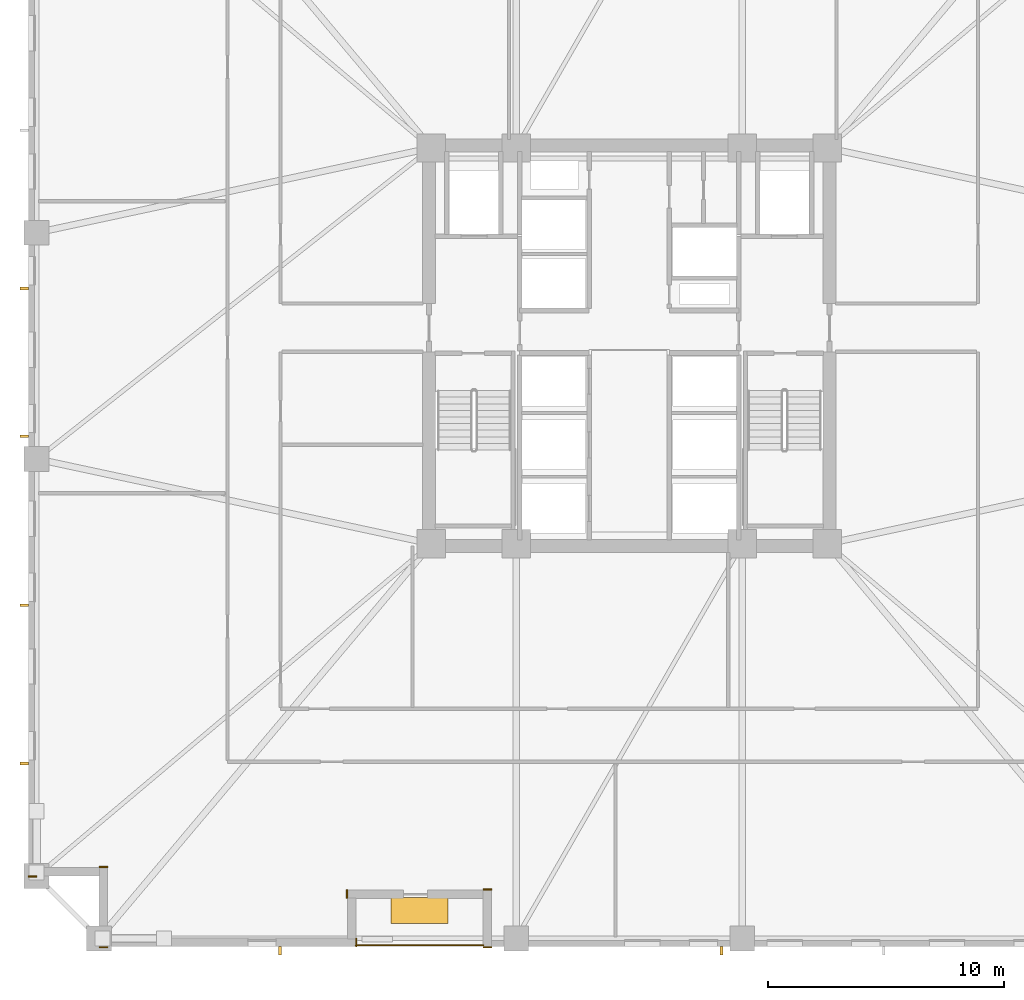
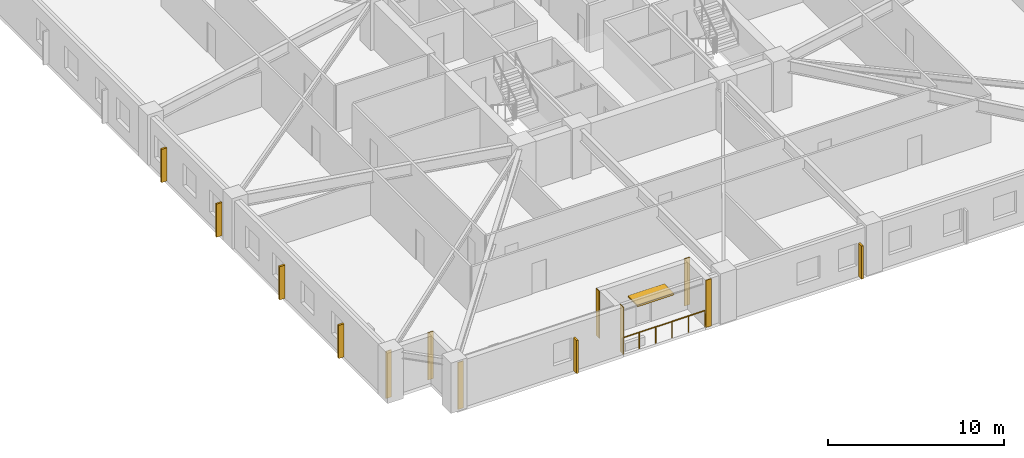
# One storey, part 6 of 10: 7 coverings, 7 shading devices, 1 railing.
"""IFC4 building model written with IfcOpenShell, lengths in metres."""

from ifc_helpers import new_model, si_unit, direction, frame, frame_2d, origin, origin_2d, place, context, subcontext, project, spatial, rectangle, circle, extrude, material, layer, layer_set, type_object, element, save


model = new_model("IFC4")

# Units and contexts
model_context = context("Model", 3, precision=1e-05, world=origin(), true_north=direction((0.0, 1.0)))
body_context = subcontext(model_context, "Body", "Model", "MODEL_VIEW")
ifc_project = project(units=[si_unit("LENGTHUNIT", "METRE"), si_unit("AREAUNIT", "SQUARE_METRE"), si_unit("VOLUMEUNIT", "CUBIC_METRE"), si_unit("PLANEANGLEUNIT", "RADIAN"), si_unit("MASSUNIT", "GRAM", prefix="KILO")], contexts=[model_context])

# Site, building, storey
site_placement = place(None, origin())
site = spatial("IfcSite", under=ifc_project, at=site_placement, CompositionType="ELEMENT")
building_placement = place(site_placement, origin())
building = spatial("IfcBuilding", under=site, at=building_placement, Name="Cairnveth Concourse Tower", CompositionType="ELEMENT")
storey_placement = place(building_placement, frame((0.0, 0.0, 27.0)))
storey = spatial("IfcBuildingStorey", under=building, at=storey_placement, Name="L06", CompositionType="ELEMENT", Elevation=27.0)

# Coverings
ifc_material_1 = material(Name="Dressed Melbourne Bluestone Cladding", Category="masonry")
ifc_layer = layer(ifc_material_1, 0.050048828125)
ifc_layer_set = layer_set([ifc_layer], Name="Dressed Melbourne Bluestone Cladding")
covering_type = type_object("IfcCoveringType", Name="DRESSED BLUESTONE PLINTH CLADDING 50", PredefinedType="CLADDING", material=ifc_layer_set)
for number, where, z_axis, x_axis, name in (
    (1, (40.419921875, 13.860107421875, 0.0), (0.0, 0.0, 1.0), (0.0, -1.0, 0.0), "Melbourne Bluestone Corner Quoin L06-39"),
    (2, (29.860107421875, 13.47998046875, 0.0), (0.0, 0.0, 1.0), (-1.0, 0.0, 0.0), "Melbourne Bluestone Corner Quoin L06-40"),
    (3, (29.860107421875, 16.8798828125, 0.0), (0.0, 0.0, 1.0), (-1.0, 0.0, 0.0), "Melbourne Bluestone Corner Quoin L06-41"),
    (4, (26.860107421875, 16.47998046875, 0.0), (0.0, 0.0, 1.0), (-1.0, 0.0, 0.0), "Melbourne Bluestone Corner Quoin L06-42"),
):
    element("IfcCovering", number, at=place(storey_placement, frame(where, z_axis=z_axis, x_axis=x_axis)), inside=storey, type_object=covering_type, Name=name, PredefinedType="CLADDING", context=body_context, shape_type="SweptSolid", body=[
        extrude(rectangle(XDim=0.360107421875, YDim=0.050048828125, at=frame_2d((0.18017578125, 0.0))), origin(), (0.0, 0.0, 1.0), 3.280029296875),
    ])
for number, where, z_axis, x_axis, name in (
    (5, (46.159912109375, 13.47998046875, 0.0), (0.0, 0.0, 1.0), (-1.0, 0.0, 0.0), "Melbourne Bluestone Corner Quoin L06-52"),
    (6, (46.159912109375, 15.929931640625, 0.0), (0.0, 0.0, 1.0), (-1.0, 0.0, 0.0), "Melbourne Bluestone Corner Quoin L06-53"),
    (7, (40.02001953125, 15.909912109375, 0.0), (0.0, 0.0, 1.0), (0.0, -1.0, 0.0), "Melbourne Bluestone Corner Quoin L06-54"),
):
    element("IfcCovering", number, at=place(storey_placement, frame(where, z_axis=z_axis, x_axis=x_axis)), inside=storey, type_object=covering_type, Name=name, PredefinedType="CLADDING", context=body_context, shape_type="SweptSolid", body=[
        extrude(rectangle(XDim=0.35986328125, YDim=0.050048828125, at=frame_2d((0.179931640625, 0.0))), origin(), (0.0, 0.0, 1.0), 3.280029296875),
    ])

# Shading devices
ifc_material_2 = material(Name="Architectural Bronze Anodised Aluminium 6063-T6", Category="aluminium")
shading_device_type_1 = type_object("IfcShadingDeviceType", Name="GOTHIC BRONZE VERTICAL LANCET FIN", PredefinedType="USERDEFINED", material=ifc_material_2)
for number, where, z_axis, x_axis, name in (
    (8, (37.178955078125, 13.324951171875, 0.02978515625), (0.0, 0.0, 1.0), (1.0, 0.0, 0.0), "Gothic Bronze Vertical Fin L06-0-1"),
    (9, (26.324951171875, 21.27001953125, 0.02978515625), (0.0, 0.0, 1.0), (0.0, 1.0, 0.0), "Gothic Bronze Vertical Fin L06-3-1"),
    (10, (26.324951171875, 27.990478515625, 0.02978515625), (0.0, 0.0, 1.0), (0.0, 1.0, 0.0), "Gothic Bronze Vertical Fin L06-3-3"),
    (11, (26.324951171875, 35.160888671875, 0.02978515625), (0.0, 0.0, 1.0), (0.0, 1.0, 0.0), "Gothic Bronze Vertical Fin L06-3-5"),
    (12, (26.324951171875, 41.43115234375, 0.02978515625), (0.0, 0.0, 1.0), (0.0, 1.0, 0.0), "Gothic Bronze Vertical Fin L06-3-7"),
    (13, (55.91357421875, 13.324951171875, 0.02978515625), (0.0, 0.0, 1.0), (1.0, 0.0, 0.0), "Gothic Bronze Vertical Fin L06-12-5"),
):
    element("IfcShadingDevice", number, at=place(storey_placement, frame(where, z_axis=z_axis, x_axis=x_axis)), inside=storey, type_object=shading_device_type_1, Name=name, ObjectType="VERTICAL FIN", PredefinedType="USERDEFINED", context=body_context, shape_type="SweptSolid", body=[
        extrude(rectangle(XDim=0.1201171875, YDim=0.360107421875, at=origin_2d()), origin(), (0.0, 0.0, 1.0), 2.303955078125),
    ])
shading_device_type_2 = type_object("IfcShadingDeviceType", Name="SPIRAL TERRACE SUNSHADE CANOPY", PredefinedType="USERDEFINED", material=ifc_material_2)
shading_device_placement = place(storey_placement, frame((43.10009765625, 15.030029296875, 2.183837890625), z_axis=(0.0, 0.0, 1.0), x_axis=(1.0, 0.0, 0.0)))
element("IfcShadingDevice", 14, at=shading_device_placement, inside=storey, type_object=shading_device_type_2, Name="Spiral Terrace Sunshade L06", ObjectType="TERRACE SUNSHADE", PredefinedType="USERDEFINED", context=body_context, shape_type="SweptSolid", body=[
    extrude(rectangle(XDim=2.39990234375, YDim=1.10009765625, at=origin_2d()), origin(), (0.0, 0.0, 1.0), 0.1201171875),
])

# Railing
railing_type = type_object("IfcRailingType", Name="TERRACE BRONZE BALUSTRADE 1150", PredefinedType="BALUSTRADE", material=ifc_material_2)
railing_placement = place(storey_placement, frame((40.39990234375, 13.56005859375, 0.0)))
element("IfcRailing", 15, at=railing_placement, inside=storey, type_object=railing_type, Name="Terrace Balustrade RL-L06-TERR", PredefinedType="BALUSTRADE", context=body_context, shape_type="SweptSolid", body=[
    extrude(circle(Radius=0.02490234375, at=origin_2d()), frame((0.0, 0.0, 1.125), z_axis=(1.0, 0.0, 0.0), x_axis=(0.0, 1.0, 0.0)), (0.0, 0.0, 1.0), 5.400146484375),
    extrude(circle(Radius=0.02099609375, at=origin_2d()), origin(), (0.0, 0.0, 1.0), 1.099853515625),
    extrude(circle(Radius=0.02099609375, at=origin_2d()), frame((1.080078125, 0.0, 0.0)), (0.0, 0.0, 1.0), 1.099853515625),
    extrude(circle(Radius=0.02099609375, at=origin_2d()), frame((2.16015625, 0.0, 0.0)), (0.0, 0.0, 1.0), 1.099853515625),
    extrude(circle(Radius=0.02099609375, at=origin_2d()), frame((3.239990234375, 0.0, 0.0)), (0.0, 0.0, 1.0), 1.099853515625),
    extrude(circle(Radius=0.02099609375, at=origin_2d()), frame((4.320068359375, 0.0, 0.0)), (0.0, 0.0, 1.0), 1.099853515625),
    extrude(circle(Radius=0.02099609375, at=origin_2d()), frame((5.400146484375, 0.0, 0.0)), (0.0, 0.0, 1.0), 1.099853515625),
])

save(model, "model.ifc")
